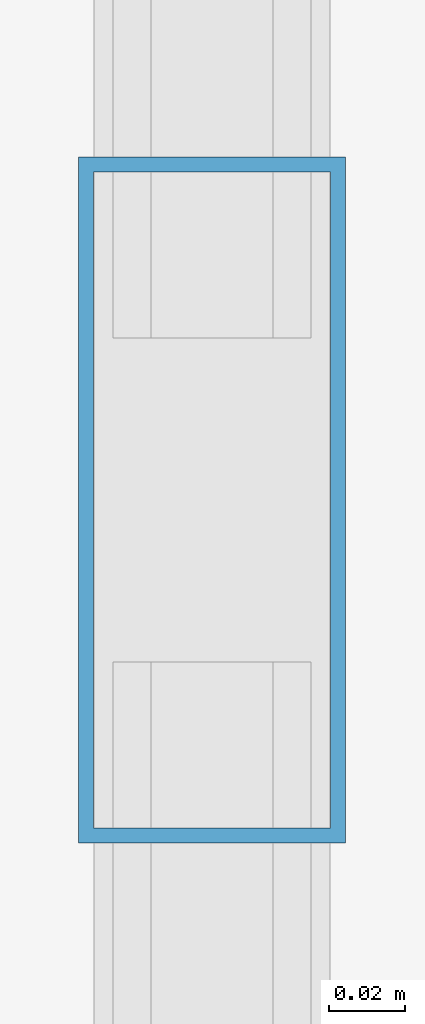
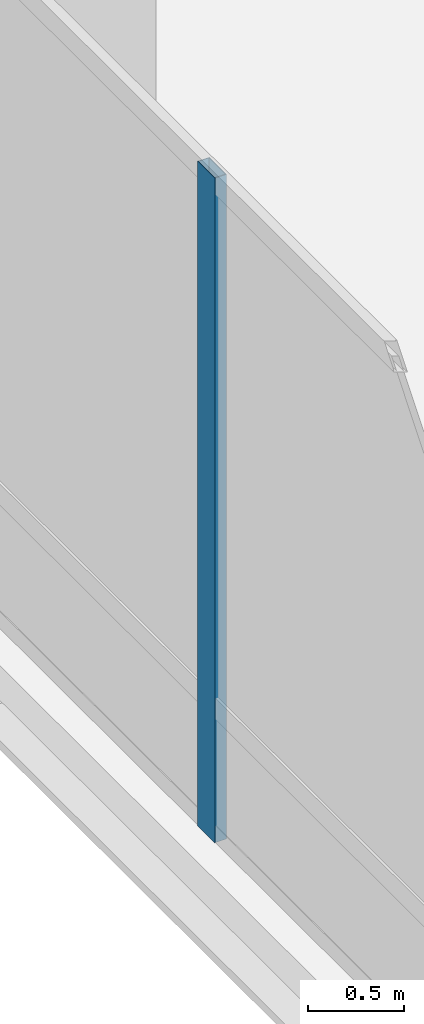
# One storey, part 9 of 33: 1 member, 1 element without a shape of its own.
"""IFC4 building model written with IfcOpenShell, lengths in metres."""

from ifc_helpers import new_model, si_unit, direction, frame, origin, origin_2d, place, context, subcontext, project, spatial, hollow_rectangle, extrude, material, material_profile, profile_set, type_object, element, aggregate, save


model = new_model("IFC4")

# Units and contexts
model_context = context("Model", 3, precision=1e-05, world=origin(), true_north=direction((0.0, 1.0)))
body_context = subcontext(model_context, "Body", "Model", "MODEL_VIEW")
ifc_project = project(units=[si_unit("LENGTHUNIT", "METRE"), si_unit("AREAUNIT", "SQUARE_METRE"), si_unit("VOLUMEUNIT", "CUBIC_METRE"), si_unit("PLANEANGLEUNIT", "RADIAN"), si_unit("MASSUNIT", "GRAM", prefix="KILO")], contexts=[model_context])

# Site, building, storey
site_placement = place(None, origin())
site = spatial("IfcSite", under=ifc_project, at=site_placement, CompositionType="ELEMENT")
building_placement = place(site_placement, origin())
building = spatial("IfcBuilding", under=site, at=building_placement, Name="Punatoya Terracotta Tower", CompositionType="ELEMENT")
storey_placement = place(building_placement, frame((0.0, 0.0, 348.300048828125)))
storey = spatial("IfcBuildingStorey", under=building, at=storey_placement, Name="L82", CompositionType="ELEMENT", Elevation=348.300048828125)

# Curtain wall, member
ifc_material_1 = material(Name="Aluminium 6063-T6 + Double Low-E Glass", Category="aluminium")
curtain_wall_type = type_object("IfcCurtainWallType", Name="CW-CRN", PredefinedType="NOTDEFINED", material=ifc_material_1)
curtain_wall_placement = place(storey_placement, origin())
curtain_wall = element("IfcCurtainWall", 1, at=curtain_wall_placement, inside=storey, type_object=curtain_wall_type, Name="L82 Curtain Wall CW-L82-W13-1", PredefinedType="NOTDEFINED")
ifc_material_2 = material(Name="Aluminium 6063-T6", Category="aluminium")
ifc_material_profile = material_profile(ifc_material_2, hollow_rectangle(XDim=0.070068359375, YDim=0.179931640625, WallThickness=0.00390625, at=origin_2d()))
ifc_profile_set = profile_set([ifc_material_profile], Name="Aluminium 6063-T6")
member_type = type_object("IfcMemberType", Name="CW-MUL-M3", PredefinedType="MULLION", material=ifc_profile_set)
member_placement = place(storey_placement, frame((-19.89990234375, 0.0, 0.0), z_axis=(0.0, 0.0, 1.0), x_axis=(1.0, 0.0, 0.0)))
member = element("IfcMember", 2, at=member_placement, type_object=member_type, Name="CW-L82-W13-1 Mullion 06", PredefinedType="MULLION", context=body_context, shape_type="SweptSolid", body=[
    extrude(hollow_rectangle(XDim=0.070068359375, YDim=0.179931640625, WallThickness=0.00390625, at=origin_2d()), origin(), (0.0, 0.0, 1.0), 4.219970703125),
])
aggregate(curtain_wall, [member])

save(model, "model.ifc")
